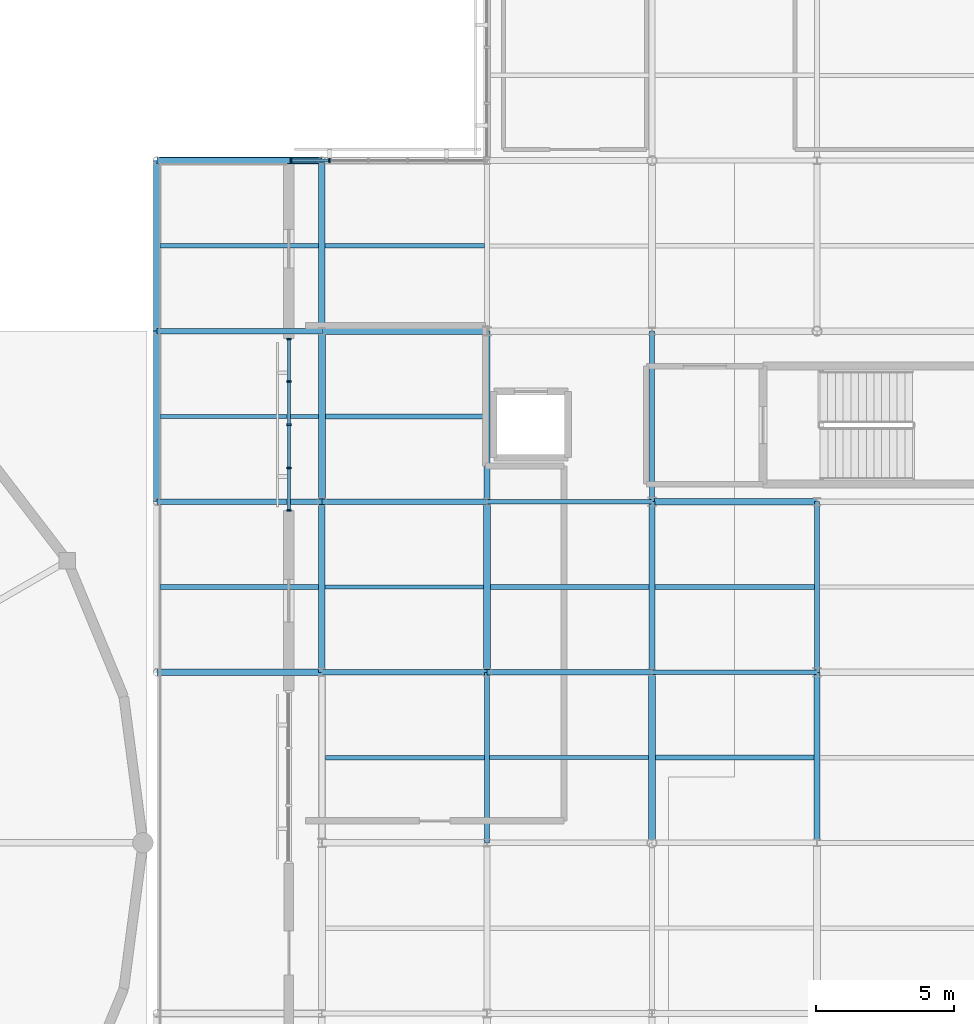
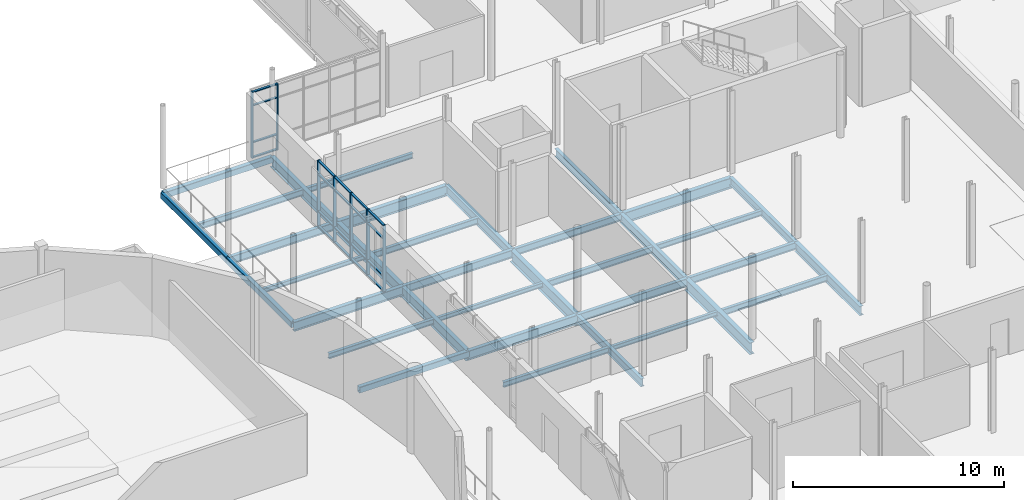
# One storey, part 34 of 84: 35 beams, 27 members, 2 elements without a shape of their own.
"""IFC4 building model written with IfcOpenShell, lengths in metres."""

from ifc_helpers import new_model, si_unit, direction, frame, origin, origin_2d, place, context, subcontext, project, spatial, rectangle, hollow_rectangle, i_section, extrude, material, layer, layer_set, material_profile, profile_set, type_object, element, aggregate, save


model = new_model("IFC4")

# Units and contexts
model_context = context("Model", 3, precision=1e-05, world=origin(), true_north=direction((0.0, 1.0)))
body_context = subcontext(model_context, "Body", "Model", "MODEL_VIEW")
ifc_project = project(units=[si_unit("LENGTHUNIT", "METRE"), si_unit("AREAUNIT", "SQUARE_METRE"), si_unit("VOLUMEUNIT", "CUBIC_METRE"), si_unit("PLANEANGLEUNIT", "RADIAN"), si_unit("MASSUNIT", "GRAM", prefix="KILO")], contexts=[model_context])

# Site, building, storey
site_placement = place(None, origin())
site = spatial("IfcSite", under=ifc_project, at=site_placement, CompositionType="ELEMENT")
building_placement = place(site_placement, origin())
building = spatial("IfcBuilding", under=site, at=building_placement, Name="Mirzam Square Science Centre", CompositionType="ELEMENT")
storey_placement = place(building_placement, frame((0.0, 0.0, 10.800048828125)))
storey = spatial("IfcBuildingStorey", under=building, at=storey_placement, Name="L02", CompositionType="ELEMENT", Elevation=10.800048828125)

# Beams
ifc_material_1 = material(Name="Steel S355", Category="steel")
ifc_material_profile_1 = material_profile(ifc_material_1, i_section(OverallWidth=0.1787109375, OverallDepth=0.409423828125, WebThickness=0.0087890625, FlangeThickness=0.014404296875, FilletRadius=0.01025390625, at=origin_2d()), Name="406x178x67UB")
ifc_profile_set_1 = profile_set([ifc_material_profile_1], Name="Steel S355")
beam_type_1 = type_object("IfcBeamType", Name="BM-UB406", PredefinedType="BEAM", material=ifc_profile_set_1)
for number, where, z_axis, x_axis, name in (
    (1, (120.0, 68.199951171875, -0.454833984375), (1.0, 0.0, 0.0), (0.0, 1.0, 0.0), "L02 girder X21-12"),
    (2, (114.0, 74.39990234375, -0.454833984375), (1.0, 0.0, 0.0), (0.0, 1.0, 0.0), "L02 girder X20-13"),
):
    element("IfcBeam", number, at=place(storey_placement, frame(where, z_axis=z_axis, x_axis=x_axis)), inside=storey, type_object=beam_type_1, Name=name, PredefinedType="BEAM", context=body_context, shape_type="SweptSolid", body=[
        extrude(i_section(OverallWidth=0.1787109375, OverallDepth=0.409423828125, WebThickness=0.0087890625, FlangeThickness=0.014404296875, FilletRadius=0.01025390625, at=origin_2d()), origin(), (0.0, 0.0, 1.0), 6.0),
    ])
ifc_material_profile_2 = material_profile(ifc_material_1, i_section(OverallWidth=0.19140625, OverallDepth=0.4599609375, WebThickness=0.010009765625, FlangeThickness=0.01611328125, FilletRadius=0.01025390625, at=origin_2d()), Name="457x191x82UB")
ifc_profile_set_2 = profile_set([ifc_material_profile_2], Name="Steel S355")
beam_type_2 = type_object("IfcBeamType", Name="BM-UB457", PredefinedType="BEAM", material=ifc_profile_set_2)
for number, where, z_axis, x_axis, name in (
    (3, (114.0, 68.199951171875, -0.47998046875), (1.0, 0.0, 0.0), (0.0, 1.0, 0.0), "L02 girder X20-12"),
    (4, (108.0, 74.39990234375, -0.47998046875), (1.0, 0.0, 0.0), (0.0, 1.0, 0.0), "L02 girder X19-13"),
    (5, (102.0, 80.60009765625, -0.47998046875), (1.0, 0.0, 0.0), (0.0, 1.0, 0.0), "L02 girder X18-14"),
):
    element("IfcBeam", number, at=place(storey_placement, frame(where, z_axis=z_axis, x_axis=x_axis)), inside=storey, type_object=beam_type_2, Name=name, PredefinedType="BEAM", context=body_context, shape_type="SweptSolid", body=[
        extrude(i_section(OverallWidth=0.19140625, OverallDepth=0.4599609375, WebThickness=0.010009765625, FlangeThickness=0.01611328125, FilletRadius=0.01025390625, at=origin_2d()), origin(), (0.0, 0.0, 1.0), 6.0),
    ])
beam_1_placement = place(storey_placement, frame((114.0, 62.0, -0.47998046875), z_axis=(0.0, 1.0, 0.0), x_axis=(-1.0, 0.0, 0.0)))
element("IfcBeam", 6, at=beam_1_placement, inside=storey, type_object=beam_type_2, Name="L02 girder Y20-11", PredefinedType="BEAM", context=body_context, shape_type="SweptSolid", body=[
    extrude(i_section(OverallWidth=0.19140625, OverallDepth=0.4599609375, WebThickness=0.010009765625, FlangeThickness=0.01611328125, FilletRadius=0.01025390625, at=origin_2d()), origin(), (0.0, 0.0, 1.0), 6.199951171875),
])
beam_2_placement = place(storey_placement, frame((120.0, 74.39990234375, -0.47998046875), z_axis=(0.0, 1.0, 0.0), x_axis=(-1.0, 0.0, 0.0)))
element("IfcBeam", 7, at=beam_2_placement, inside=storey, type_object=beam_type_2, Name="L02 girder Y21-13", PredefinedType="BEAM", context=body_context, shape_type="SweptSolid", body=[
    extrude(i_section(OverallWidth=0.19140625, OverallDepth=0.4599609375, WebThickness=0.010009765625, FlangeThickness=0.01611328125, FilletRadius=0.01025390625, at=origin_2d()), origin(), (0.0, 0.0, 1.0), 6.2001953125),
])
beam_3_placement = place(storey_placement, frame((126.0, 68.199951171875, -0.47998046875), z_axis=(0.0, 1.0, 0.0), x_axis=(-1.0, 0.0, 0.0)))
element("IfcBeam", 8, at=beam_3_placement, inside=storey, type_object=beam_type_2, Name="L02 girder Y22-12", PredefinedType="BEAM", context=body_context, shape_type="SweptSolid", body=[
    extrude(i_section(OverallWidth=0.19140625, OverallDepth=0.4599609375, WebThickness=0.010009765625, FlangeThickness=0.01611328125, FilletRadius=0.01025390625, at=origin_2d()), origin(), (0.0, 0.0, 1.0), 6.199951171875),
])
ifc_material_profile_3 = material_profile(ifc_material_1, i_section(OverallWidth=0.2099609375, OverallDepth=0.53662109375, WebThickness=0.0107421875, FlangeThickness=0.017333984375, FilletRadius=0.0126953125, at=origin_2d()), Name="533x210x101UB")
ifc_profile_set_3 = profile_set([ifc_material_profile_3], Name="Steel S355")
beam_type_3 = type_object("IfcBeamType", Name="BM-UB533", PredefinedType="BEAM", material=ifc_profile_set_3)
for number, where, z_axis, x_axis, name in (
    (9, (108.0, 68.199951171875, -0.518310546875), (1.0, 0.0, 0.0), (0.0, 1.0, 0.0), "L02 girder X19-12"),
    (10, (102.0, 74.39990234375, -0.518310546875), (1.0, 0.0, 0.0), (0.0, 1.0, 0.0), "L02 girder X18-13"),
):
    element("IfcBeam", number, at=place(storey_placement, frame(where, z_axis=z_axis, x_axis=x_axis)), inside=storey, type_object=beam_type_3, Name=name, PredefinedType="BEAM", context=body_context, shape_type="SweptSolid", body=[
        extrude(i_section(OverallWidth=0.2099609375, OverallDepth=0.53662109375, WebThickness=0.0107421875, FlangeThickness=0.017333984375, FilletRadius=0.0126953125, at=origin_2d()), origin(), (0.0, 0.0, 1.0), 6.0),
    ])
beam_4_placement = place(storey_placement, frame((114.0, 74.39990234375, -0.518310546875), z_axis=(0.0, 1.0, 0.0), x_axis=(-1.0, 0.0, 0.0)))
element("IfcBeam", 11, at=beam_4_placement, inside=storey, type_object=beam_type_3, Name="L02 girder Y20-13", PredefinedType="BEAM", context=body_context, shape_type="SweptSolid", body=[
    extrude(i_section(OverallWidth=0.2099609375, OverallDepth=0.53662109375, WebThickness=0.0107421875, FlangeThickness=0.017333984375, FilletRadius=0.0126953125, at=origin_2d()), origin(), (0.0, 0.0, 1.0), 6.2001953125),
])
for number, where, z_axis, x_axis, name in (
    (12, (120.0, 68.199951171875, -0.518310546875), (0.0, 1.0, 0.0), (-1.0, 0.0, 0.0), "L02 girder Y21-12"),
    (13, (126.0, 62.0, -0.518310546875), (0.0, 1.0, 0.0), (-1.0, 0.0, 0.0), "L02 girder Y22-11"),
):
    element("IfcBeam", number, at=place(storey_placement, frame(where, z_axis=z_axis, x_axis=x_axis)), inside=storey, type_object=beam_type_3, Name=name, PredefinedType="BEAM", context=body_context, shape_type="SweptSolid", body=[
        extrude(i_section(OverallWidth=0.2099609375, OverallDepth=0.53662109375, WebThickness=0.0107421875, FlangeThickness=0.017333984375, FilletRadius=0.0126953125, at=origin_2d()), origin(), (0.0, 0.0, 1.0), 6.199951171875),
    ])
ifc_material_profile_4 = material_profile(ifc_material_1, i_section(OverallWidth=0.22900390625, OverallDepth=0.6123046875, WebThickness=0.011962890625, FlangeThickness=0.01953125, FilletRadius=0.0126953125, at=origin_2d()), Name="610x229x125UB")
ifc_profile_set_4 = profile_set([ifc_material_profile_4], Name="Steel S355")
beam_type_4 = type_object("IfcBeamType", Name="BM-UB610", PredefinedType="BEAM", material=ifc_profile_set_4)
for number, where, z_axis, x_axis, name in (
    (14, (120.0, 74.39990234375, -0.55615234375), (1.0, 0.0, 0.0), (0.0, 1.0, 0.0), "L02 girder X21-13"),
    (15, (108.0, 80.60009765625, -0.55615234375), (1.0, 0.0, 0.0), (0.0, 1.0, 0.0), "L02 girder X19-14"),
):
    element("IfcBeam", number, at=place(storey_placement, frame(where, z_axis=z_axis, x_axis=x_axis)), inside=storey, type_object=beam_type_4, Name=name, PredefinedType="BEAM", context=body_context, shape_type="SweptSolid", body=[
        extrude(i_section(OverallWidth=0.22900390625, OverallDepth=0.6123046875, WebThickness=0.011962890625, FlangeThickness=0.01953125, FilletRadius=0.0126953125, at=origin_2d()), origin(), (0.0, 0.0, 1.0), 6.0),
    ])
for number, where, z_axis, x_axis, name in (
    (16, (108.0, 68.199951171875, -0.55615234375), (0.0, 1.0, 0.0), (-1.0, 0.0, 0.0), "L02 girder Y19-12"),
    (17, (108.0, 80.60009765625, -0.55615234375), (0.0, 1.0, 0.0), (-1.0, 0.0, 0.0), "L02 girder Y19-14"),
):
    element("IfcBeam", number, at=place(storey_placement, frame(where, z_axis=z_axis, x_axis=x_axis)), inside=storey, type_object=beam_type_4, Name=name, PredefinedType="BEAM", context=body_context, shape_type="SweptSolid", body=[
        extrude(i_section(OverallWidth=0.22900390625, OverallDepth=0.6123046875, WebThickness=0.011962890625, FlangeThickness=0.01953125, FilletRadius=0.0126953125, at=origin_2d()), origin(), (0.0, 0.0, 1.0), 6.199951171875),
    ])
ifc_material_profile_5 = material_profile(ifc_material_1, i_section(OverallWidth=0.25439453125, OverallDepth=0.6875, WebThickness=0.01318359375, FlangeThickness=0.02099609375, FilletRadius=0.01513671875, at=origin_2d()), Name="686x254x152UB")
ifc_profile_set_5 = profile_set([ifc_material_profile_5], Name="Steel S355")
beam_type_5 = type_object("IfcBeamType", Name="BM-UB686", PredefinedType="BEAM", material=ifc_profile_set_5)
beam_5_placement = place(storey_placement, frame((108.0, 74.39990234375, -0.59375), z_axis=(0.0, 1.0, 0.0), x_axis=(-1.0, 0.0, 0.0)))
element("IfcBeam", 18, at=beam_5_placement, inside=storey, type_object=beam_type_5, Name="L02 girder Y19-13", PredefinedType="BEAM", context=body_context, shape_type="SweptSolid", body=[
    extrude(i_section(OverallWidth=0.25439453125, OverallDepth=0.6875, WebThickness=0.01318359375, FlangeThickness=0.02099609375, FilletRadius=0.01513671875, at=origin_2d()), origin(), (0.0, 0.0, 1.0), 6.2001953125),
])
for number, where, z_axis, x_axis, name in (
    (19, (114.0, 68.199951171875, -0.59375), (0.0, 1.0, 0.0), (-1.0, 0.0, 0.0), "L02 girder Y20-12"),
    (20, (120.0, 62.0, -0.59375), (0.0, 1.0, 0.0), (-1.0, 0.0, 0.0), "L02 girder Y21-11"),
):
    element("IfcBeam", number, at=place(storey_placement, frame(where, z_axis=z_axis, x_axis=x_axis)), inside=storey, type_object=beam_type_5, Name=name, PredefinedType="BEAM", context=body_context, shape_type="SweptSolid", body=[
        extrude(i_section(OverallWidth=0.25439453125, OverallDepth=0.6875, WebThickness=0.01318359375, FlangeThickness=0.02099609375, FilletRadius=0.01513671875, at=origin_2d()), origin(), (0.0, 0.0, 1.0), 6.199951171875),
    ])

# Curtain wall, members
ifc_material_2 = material(Name="Anodised Aluminium and Low-E Solar Glass", Category="aluminium")
ifc_layer = layer(ifc_material_2, 0.159912109375)
ifc_layer_set = layer_set([ifc_layer], Name="CW-COURT-B")
curtain_wall_type = type_object("IfcCurtainWallType", Name="CW-COURT-B", PredefinedType="USERDEFINED", material=ifc_layer_set)
curtain_wall_1_placement = place(storey_placement, origin())
curtain_wall_1 = element("IfcCurtainWall", 21, at=curtain_wall_1_placement, inside=storey, type_object=curtain_wall_type, Name="L02 unitised curtain wall 109", ObjectType="UNITISED CURTAIN WALL", PredefinedType="USERDEFINED")
ifc_material_3 = material(Name="Anodised Architectural Aluminium 6063-T6", Category="aluminium")
ifc_material_profile_6 = material_profile(ifc_material_3, rectangle(XDim=0.06005859375, YDim=0.159912109375, at=origin_2d()), Name="ALU-MULL-160x60x4")
ifc_profile_set_6 = profile_set([ifc_material_profile_6], Name="Anodised Architectural Aluminium 6063-T6")
member_type_1 = type_object("IfcMemberType", Name="CWM-160", PredefinedType="MULLION", material=ifc_profile_set_6)
member_1_placement = place(storey_placement, frame((108.27294921875, 86.800048828125, 0.0), z_axis=(0.0, 0.0, 1.0), x_axis=(-1.0, 0.0, 0.0)))
member_1 = element("IfcMember", 22, at=member_1_placement, type_object=member_type_1, Name="CW-04 mullion 5", PredefinedType="MULLION", context=body_context, shape_type="SweptSolid", body=[
    extrude(rectangle(XDim=0.06005859375, YDim=0.159912109375, at=origin_2d()), origin(), (0.0, 0.0, 1.0), 3.83984375),
])
member_2_placement = place(storey_placement, frame((106.885009765625, 86.800048828125, 0.0), z_axis=(0.0, 0.0, 1.0), x_axis=(-1.0, 0.0, 0.0)))
member_2 = element("IfcMember", 23, at=member_2_placement, type_object=member_type_1, Name="CW-04 mullion 6", PredefinedType="MULLION", context=body_context, shape_type="SweptSolid", body=[
    extrude(rectangle(XDim=0.06005859375, YDim=0.159912109375, at=origin_2d()), origin(), (0.0, 0.0, 1.0), 3.83984375),
])

curtain_wall_2_placement = place(storey_placement, origin())
curtain_wall_2 = element("IfcCurtainWall", 24, at=curtain_wall_2_placement, inside=storey, type_object=curtain_wall_type, Name="L02 unitised curtain wall 110", ObjectType="UNITISED CURTAIN WALL", PredefinedType="USERDEFINED")
member_3_placement = place(storey_placement, frame((106.800048828125, 80.31494140625, 0.0), z_axis=(0.0, 0.0, 1.0), x_axis=(0.0, -1.0, 0.0)))
member_3 = element("IfcMember", 25, at=member_3_placement, type_object=member_type_1, Name="CW-04 mullion 1", PredefinedType="MULLION", context=body_context, shape_type="SweptSolid", body=[
    extrude(rectangle(XDim=0.06005859375, YDim=0.159912109375, at=origin_2d()), origin(), (0.0, 0.0, 1.0), 3.83984375),
])
member_4_placement = place(storey_placement, frame((106.800048828125, 78.7724609375, 0.0), z_axis=(0.0, 0.0, 1.0), x_axis=(0.0, -1.0, 0.0)))
member_4 = element("IfcMember", 26, at=member_4_placement, type_object=member_type_1, Name="CW-04 mullion 2", PredefinedType="MULLION", context=body_context, shape_type="SweptSolid", body=[
    extrude(rectangle(XDim=0.06005859375, YDim=0.159912109375, at=origin_2d()), origin(), (0.0, 0.0, 1.0), 3.83984375),
])
member_5_placement = place(storey_placement, frame((106.800048828125, 77.199951171875, 0.0), z_axis=(0.0, 0.0, 1.0), x_axis=(0.0, -1.0, 0.0)))
member_5 = element("IfcMember", 27, at=member_5_placement, type_object=member_type_1, Name="CW-04 mullion 3", PredefinedType="MULLION", context=body_context, shape_type="SweptSolid", body=[
    extrude(rectangle(XDim=0.06005859375, YDim=0.159912109375, at=origin_2d()), origin(), (0.0, 0.0, 1.0), 3.83984375),
])
member_6_placement = place(storey_placement, frame((106.800048828125, 75.62744140625, 0.0), z_axis=(0.0, 0.0, 1.0), x_axis=(0.0, -1.0, 0.0)))
member_6 = element("IfcMember", 28, at=member_6_placement, type_object=member_type_1, Name="CW-04 mullion 4", PredefinedType="MULLION", context=body_context, shape_type="SweptSolid", body=[
    extrude(rectangle(XDim=0.06005859375, YDim=0.159912109375, at=origin_2d()), origin(), (0.0, 0.0, 1.0), 3.83984375),
])
member_7_placement = place(storey_placement, frame((106.800048828125, 74.0849609375, 0.0), z_axis=(0.0, 0.0, 1.0), x_axis=(0.0, -1.0, 0.0)))
member_7 = element("IfcMember", 29, at=member_7_placement, type_object=member_type_1, Name="CW-04 mullion 5", PredefinedType="MULLION", context=body_context, shape_type="SweptSolid", body=[
    extrude(rectangle(XDim=0.06005859375, YDim=0.159912109375, at=origin_2d()), origin(), (0.0, 0.0, 1.0), 3.83984375),
])

# Member
ifc_material_profile_7 = material_profile(ifc_material_3, rectangle(XDim=0.1201171875, YDim=0.06005859375, at=origin_2d()), Name="ALU-TRAN-120x60x4")
ifc_profile_set_7 = profile_set([ifc_material_profile_7], Name="Anodised Architectural Aluminium 6063-T6")
member_type_2 = type_object("IfcMemberType", Name="CWT-120", PredefinedType="USERDEFINED", material=ifc_profile_set_7)
member_8_placement = place(storey_placement, frame((108.242919921875, 86.800048828125, 0.030029296875), z_axis=(-1.0, 0.0, 0.0), x_axis=(0.0, -1.0, 0.0)))
member_8 = element("IfcMember", 30, at=member_8_placement, type_object=member_type_2, Name="CW-04 transom 5.1", ObjectType="TRANSOM", PredefinedType="USERDEFINED", context=body_context, shape_type="SweptSolid", body=[
    extrude(rectangle(XDim=0.1201171875, YDim=0.06005859375, at=origin_2d()), origin(), (0.0, 0.0, 1.0), 1.327880859375),
])

member_9_placement = place(storey_placement, frame((108.242919921875, 86.800048828125, 0.89990234375), z_axis=(-1.0, 0.0, 0.0), x_axis=(0.0, -1.0, 0.0)))
member_9 = element("IfcMember", 31, at=member_9_placement, type_object=member_type_2, Name="CW-04 transom 5.2", ObjectType="TRANSOM", PredefinedType="USERDEFINED", context=body_context, shape_type="SweptSolid", body=[
    extrude(rectangle(XDim=0.1201171875, YDim=0.06005859375, at=origin_2d()), origin(), (0.0, 0.0, 1.0), 1.327880859375),
])

member_10_placement = place(storey_placement, frame((108.242919921875, 86.800048828125, 3.0400390625), z_axis=(-1.0, 0.0, 0.0), x_axis=(0.0, -1.0, 0.0)))
member_10 = element("IfcMember", 32, at=member_10_placement, type_object=member_type_2, Name="CW-04 transom 5.3", ObjectType="TRANSOM", PredefinedType="USERDEFINED", context=body_context, shape_type="SweptSolid", body=[
    extrude(rectangle(XDim=0.1201171875, YDim=0.06005859375, at=origin_2d()), origin(), (0.0, 0.0, 1.0), 1.327880859375),
])

member_11_placement = place(storey_placement, frame((108.242919921875, 86.800048828125, 3.81005859375), z_axis=(-1.0, 0.0, 0.0), x_axis=(0.0, -1.0, 0.0)))
member_11 = element("IfcMember", 33, at=member_11_placement, type_object=member_type_2, Name="CW-04 transom 5.4", ObjectType="TRANSOM", PredefinedType="USERDEFINED", context=body_context, shape_type="SweptSolid", body=[
    extrude(rectangle(XDim=0.1201171875, YDim=0.06005859375, at=origin_2d()), origin(), (0.0, 0.0, 1.0), 1.327880859375),
])

aggregate(curtain_wall_1, [member_1, member_2, member_8, member_9, member_10, member_11])

member_12_placement = place(storey_placement, frame((106.800048828125, 80.284912109375, 0.030029296875), z_axis=(0.0, -1.0, 0.0), x_axis=(1.0, 0.0, 0.0)))
member_12 = element("IfcMember", 34, at=member_12_placement, type_object=member_type_2, Name="CW-04 transom 1.1", ObjectType="TRANSOM", PredefinedType="USERDEFINED", context=body_context, shape_type="SweptSolid", body=[
    extrude(rectangle(XDim=0.1201171875, YDim=0.06005859375, at=origin_2d()), origin(), (0.0, 0.0, 1.0), 1.482421875),
])

member_13_placement = place(storey_placement, frame((106.800048828125, 80.284912109375, 0.89990234375), z_axis=(0.0, -1.0, 0.0), x_axis=(1.0, 0.0, 0.0)))
member_13 = element("IfcMember", 35, at=member_13_placement, type_object=member_type_2, Name="CW-04 transom 1.2", ObjectType="TRANSOM", PredefinedType="USERDEFINED", context=body_context, shape_type="SweptSolid", body=[
    extrude(rectangle(XDim=0.1201171875, YDim=0.06005859375, at=origin_2d()), origin(), (0.0, 0.0, 1.0), 1.482421875),
])

member_14_placement = place(storey_placement, frame((106.800048828125, 80.284912109375, 3.0400390625), z_axis=(0.0, -1.0, 0.0), x_axis=(1.0, 0.0, 0.0)))
member_14 = element("IfcMember", 36, at=member_14_placement, type_object=member_type_2, Name="CW-04 transom 1.3", ObjectType="TRANSOM", PredefinedType="USERDEFINED", context=body_context, shape_type="SweptSolid", body=[
    extrude(rectangle(XDim=0.1201171875, YDim=0.06005859375, at=origin_2d()), origin(), (0.0, 0.0, 1.0), 1.482421875),
])

member_15_placement = place(storey_placement, frame((106.800048828125, 80.284912109375, 3.81005859375), z_axis=(0.0, -1.0, 0.0), x_axis=(1.0, 0.0, 0.0)))
member_15 = element("IfcMember", 37, at=member_15_placement, type_object=member_type_2, Name="CW-04 transom 1.4", ObjectType="TRANSOM", PredefinedType="USERDEFINED", context=body_context, shape_type="SweptSolid", body=[
    extrude(rectangle(XDim=0.1201171875, YDim=0.06005859375, at=origin_2d()), origin(), (0.0, 0.0, 1.0), 1.482421875),
])

member_16_placement = place(storey_placement, frame((106.800048828125, 78.742431640625, 0.030029296875), z_axis=(0.0, -1.0, 0.0), x_axis=(1.0, 0.0, 0.0)))
member_16 = element("IfcMember", 38, at=member_16_placement, type_object=member_type_2, Name="CW-04 transom 2.1", ObjectType="TRANSOM", PredefinedType="USERDEFINED", context=body_context, shape_type="SweptSolid", body=[
    extrude(rectangle(XDim=0.1201171875, YDim=0.06005859375, at=origin_2d()), origin(), (0.0, 0.0, 1.0), 1.512451171875),
])

member_17_placement = place(storey_placement, frame((106.800048828125, 78.742431640625, 0.89990234375), z_axis=(0.0, -1.0, 0.0), x_axis=(1.0, 0.0, 0.0)))
member_17 = element("IfcMember", 39, at=member_17_placement, type_object=member_type_2, Name="CW-04 transom 2.2", ObjectType="TRANSOM", PredefinedType="USERDEFINED", context=body_context, shape_type="SweptSolid", body=[
    extrude(rectangle(XDim=0.1201171875, YDim=0.06005859375, at=origin_2d()), origin(), (0.0, 0.0, 1.0), 1.512451171875),
])

member_18_placement = place(storey_placement, frame((106.800048828125, 78.742431640625, 3.0400390625), z_axis=(0.0, -1.0, 0.0), x_axis=(1.0, 0.0, 0.0)))
member_18 = element("IfcMember", 40, at=member_18_placement, type_object=member_type_2, Name="CW-04 transom 2.3", ObjectType="TRANSOM", PredefinedType="USERDEFINED", context=body_context, shape_type="SweptSolid", body=[
    extrude(rectangle(XDim=0.1201171875, YDim=0.06005859375, at=origin_2d()), origin(), (0.0, 0.0, 1.0), 1.512451171875),
])

member_19_placement = place(storey_placement, frame((106.800048828125, 78.742431640625, 3.81005859375), z_axis=(0.0, -1.0, 0.0), x_axis=(1.0, 0.0, 0.0)))
member_19 = element("IfcMember", 41, at=member_19_placement, type_object=member_type_2, Name="CW-04 transom 2.4", ObjectType="TRANSOM", PredefinedType="USERDEFINED", context=body_context, shape_type="SweptSolid", body=[
    extrude(rectangle(XDim=0.1201171875, YDim=0.06005859375, at=origin_2d()), origin(), (0.0, 0.0, 1.0), 1.512451171875),
])

member_20_placement = place(storey_placement, frame((106.800048828125, 77.169921875, 0.030029296875), z_axis=(0.0, -1.0, 0.0), x_axis=(1.0, 0.0, 0.0)))
member_20 = element("IfcMember", 42, at=member_20_placement, type_object=member_type_2, Name="CW-04 transom 3.1", ObjectType="TRANSOM", PredefinedType="USERDEFINED", context=body_context, shape_type="SweptSolid", body=[
    extrude(rectangle(XDim=0.1201171875, YDim=0.06005859375, at=origin_2d()), origin(), (0.0, 0.0, 1.0), 1.512451171875),
])

member_21_placement = place(storey_placement, frame((106.800048828125, 77.169921875, 0.89990234375), z_axis=(0.0, -1.0, 0.0), x_axis=(1.0, 0.0, 0.0)))
member_21 = element("IfcMember", 43, at=member_21_placement, type_object=member_type_2, Name="CW-04 transom 3.2", ObjectType="TRANSOM", PredefinedType="USERDEFINED", context=body_context, shape_type="SweptSolid", body=[
    extrude(rectangle(XDim=0.1201171875, YDim=0.06005859375, at=origin_2d()), origin(), (0.0, 0.0, 1.0), 1.512451171875),
])

member_22_placement = place(storey_placement, frame((106.800048828125, 77.169921875, 3.0400390625), z_axis=(0.0, -1.0, 0.0), x_axis=(1.0, 0.0, 0.0)))
member_22 = element("IfcMember", 44, at=member_22_placement, type_object=member_type_2, Name="CW-04 transom 3.3", ObjectType="TRANSOM", PredefinedType="USERDEFINED", context=body_context, shape_type="SweptSolid", body=[
    extrude(rectangle(XDim=0.1201171875, YDim=0.06005859375, at=origin_2d()), origin(), (0.0, 0.0, 1.0), 1.512451171875),
])

member_23_placement = place(storey_placement, frame((106.800048828125, 77.169921875, 3.81005859375), z_axis=(0.0, -1.0, 0.0), x_axis=(1.0, 0.0, 0.0)))
member_23 = element("IfcMember", 45, at=member_23_placement, type_object=member_type_2, Name="CW-04 transom 3.4", ObjectType="TRANSOM", PredefinedType="USERDEFINED", context=body_context, shape_type="SweptSolid", body=[
    extrude(rectangle(XDim=0.1201171875, YDim=0.06005859375, at=origin_2d()), origin(), (0.0, 0.0, 1.0), 1.512451171875),
])

member_24_placement = place(storey_placement, frame((106.800048828125, 75.597412109375, 0.030029296875), z_axis=(0.0, -1.0, 0.0), x_axis=(1.0, 0.0, 0.0)))
member_24 = element("IfcMember", 46, at=member_24_placement, type_object=member_type_2, Name="CW-04 transom 4.1", ObjectType="TRANSOM", PredefinedType="USERDEFINED", context=body_context, shape_type="SweptSolid", body=[
    extrude(rectangle(XDim=0.1201171875, YDim=0.06005859375, at=origin_2d()), origin(), (0.0, 0.0, 1.0), 1.482421875),
])

member_25_placement = place(storey_placement, frame((106.800048828125, 75.597412109375, 0.89990234375), z_axis=(0.0, -1.0, 0.0), x_axis=(1.0, 0.0, 0.0)))
member_25 = element("IfcMember", 47, at=member_25_placement, type_object=member_type_2, Name="CW-04 transom 4.2", ObjectType="TRANSOM", PredefinedType="USERDEFINED", context=body_context, shape_type="SweptSolid", body=[
    extrude(rectangle(XDim=0.1201171875, YDim=0.06005859375, at=origin_2d()), origin(), (0.0, 0.0, 1.0), 1.482421875),
])

member_26_placement = place(storey_placement, frame((106.800048828125, 75.597412109375, 3.0400390625), z_axis=(0.0, -1.0, 0.0), x_axis=(1.0, 0.0, 0.0)))
member_26 = element("IfcMember", 48, at=member_26_placement, type_object=member_type_2, Name="CW-04 transom 4.3", ObjectType="TRANSOM", PredefinedType="USERDEFINED", context=body_context, shape_type="SweptSolid", body=[
    extrude(rectangle(XDim=0.1201171875, YDim=0.06005859375, at=origin_2d()), origin(), (0.0, 0.0, 1.0), 1.482421875),
])

member_27_placement = place(storey_placement, frame((106.800048828125, 75.597412109375, 3.81005859375), z_axis=(0.0, -1.0, 0.0), x_axis=(1.0, 0.0, 0.0)))
member_27 = element("IfcMember", 49, at=member_27_placement, type_object=member_type_2, Name="CW-04 transom 4.4", ObjectType="TRANSOM", PredefinedType="USERDEFINED", context=body_context, shape_type="SweptSolid", body=[
    extrude(rectangle(XDim=0.1201171875, YDim=0.06005859375, at=origin_2d()), origin(), (0.0, 0.0, 1.0), 1.482421875),
])

aggregate(curtain_wall_2, [member_3, member_4, member_5, member_6, member_7, member_12, member_13, member_14, member_15, member_16, member_17, member_18, member_19, member_20, member_21, member_22, member_23, member_24, member_25, member_26, member_27])

# Beams
ifc_material_profile_8 = material_profile(ifc_material_1, i_section(OverallWidth=0.146484375, OverallDepth=0.256103515625, WebThickness=0.00634765625, FlangeThickness=0.010986328125, FilletRadius=0.007568359375, at=origin_2d()), Name="254x146x37UB")
ifc_profile_set_8 = profile_set([ifc_material_profile_8], Name="Steel S355")
beam_type_6 = type_object("IfcBeamType", Name="JS-UB254", PredefinedType="JOIST", material=ifc_profile_set_8)
beam_6_placement = place(storey_placement, frame((102.125, 77.5, -0.3779296875), z_axis=(1.0, 0.0, 0.0), x_axis=(0.0, 1.0, 0.0)))
element("IfcBeam", 50, at=beam_6_placement, inside=storey, type_object=beam_type_6, Name="L02 composite joist 18-13", PredefinedType="JOIST", context=body_context, shape_type="SweptSolid", body=[
    extrude(i_section(OverallWidth=0.146484375, OverallDepth=0.256103515625, WebThickness=0.00634765625, FlangeThickness=0.010986328125, FilletRadius=0.007568359375, at=origin_2d()), origin(), (0.0, 0.0, 1.0), 5.747802734375),
])
beam_7_placement = place(storey_placement, frame((108.114501953125, 71.300048828125, -0.3779296875), z_axis=(1.0, 0.0, 0.0), x_axis=(0.0, 1.0, 0.0)))
element("IfcBeam", 51, at=beam_7_placement, inside=storey, type_object=beam_type_6, Name="L02 composite joist 19-12", PredefinedType="JOIST", context=body_context, shape_type="SweptSolid", body=[
    extrude(i_section(OverallWidth=0.146484375, OverallDepth=0.256103515625, WebThickness=0.00634765625, FlangeThickness=0.010986328125, FilletRadius=0.007568359375, at=origin_2d()), origin(), (0.0, 0.0, 1.0), 5.75830078125),
])
beam_8_placement = place(storey_placement, frame((114.095703125, 65.10009765625, -0.3779296875), z_axis=(1.0, 0.0, 0.0), x_axis=(0.0, 1.0, 0.0)))
element("IfcBeam", 52, at=beam_8_placement, inside=storey, type_object=beam_type_6, Name="L02 composite joist 20-11", PredefinedType="JOIST", context=body_context, shape_type="SweptSolid", body=[
    extrude(i_section(OverallWidth=0.146484375, OverallDepth=0.256103515625, WebThickness=0.00634765625, FlangeThickness=0.010986328125, FilletRadius=0.007568359375, at=origin_2d()), origin(), (0.0, 0.0, 1.0), 5.777099609375),
])
ifc_material_profile_9 = material_profile(ifc_material_1, i_section(OverallWidth=0.165771484375, OverallDepth=0.306640625, WebThickness=0.006591796875, FlangeThickness=0.01171875, FilletRadius=0.0087890625, at=origin_2d()), Name="305x165x46UB")
ifc_profile_set_9 = profile_set([ifc_material_profile_9], Name="Steel S355")
beam_type_7 = type_object("IfcBeamType", Name="JS-UB305", PredefinedType="JOIST", material=ifc_profile_set_9)
beam_9_placement = place(storey_placement, frame((102.125, 71.300048828125, -0.4033203125), z_axis=(1.0, 0.0, 0.0), x_axis=(0.0, 1.0, 0.0)))
element("IfcBeam", 53, at=beam_9_placement, inside=storey, type_object=beam_type_7, Name="L02 composite joist 18-12", PredefinedType="JOIST", context=body_context, shape_type="SweptSolid", body=[
    extrude(i_section(OverallWidth=0.165771484375, OverallDepth=0.306640625, WebThickness=0.006591796875, FlangeThickness=0.01171875, FilletRadius=0.0087890625, at=origin_2d()), origin(), (0.0, 0.0, 1.0), 5.760498046875),
])
beam_10_placement = place(storey_placement, frame((108.125, 65.10009765625, -0.4033203125), z_axis=(1.0, 0.0, 0.0), x_axis=(0.0, 1.0, 0.0)))
element("IfcBeam", 54, at=beam_10_placement, inside=storey, type_object=beam_type_7, Name="L02 composite joist 19-11", PredefinedType="JOIST", context=body_context, shape_type="SweptSolid", body=[
    extrude(i_section(OverallWidth=0.165771484375, OverallDepth=0.306640625, WebThickness=0.006591796875, FlangeThickness=0.01171875, FilletRadius=0.0087890625, at=origin_2d()), origin(), (0.0, 0.0, 1.0), 5.779296875),
])
beam_11_placement = place(storey_placement, frame((108.114501953125, 83.699951171875, -0.4033203125), z_axis=(1.0, 0.0, 0.0), x_axis=(0.0, 1.0, 0.0)))
element("IfcBeam", 55, at=beam_11_placement, inside=storey, type_object=beam_type_7, Name="L02 composite joist 19-14", PredefinedType="JOIST", context=body_context, shape_type="SweptSolid", body=[
    extrude(i_section(OverallWidth=0.165771484375, OverallDepth=0.306640625, WebThickness=0.006591796875, FlangeThickness=0.01171875, FilletRadius=0.0087890625, at=origin_2d()), origin(), (0.0, 0.0, 1.0), 5.789794921875),
])
beam_12_placement = place(storey_placement, frame((120.10498046875, 71.300048828125, -0.4033203125), z_axis=(1.0, 0.0, 0.0), x_axis=(0.0, 1.0, 0.0)))
element("IfcBeam", 56, at=beam_12_placement, inside=storey, type_object=beam_type_7, Name="L02 composite joist 21-12", PredefinedType="JOIST", context=body_context, shape_type="SweptSolid", body=[
    extrude(i_section(OverallWidth=0.165771484375, OverallDepth=0.306640625, WebThickness=0.006591796875, FlangeThickness=0.01171875, FilletRadius=0.0087890625, at=origin_2d()), origin(), (0.0, 0.0, 1.0), 5.79931640625),
])
ifc_material_profile_10 = material_profile(ifc_material_1, i_section(OverallWidth=0.172119140625, OverallDepth=0.35791015625, WebThickness=0.008056640625, FlangeThickness=0.012939453125, FilletRadius=0.01025390625, at=origin_2d()), Name="356x171x57UB")
ifc_profile_set_10 = profile_set([ifc_material_profile_10], Name="Steel S355")
beam_type_8 = type_object("IfcBeamType", Name="JS-UB356", PredefinedType="JOIST", material=ifc_profile_set_10)
beam_13_placement = place(storey_placement, frame((102.125, 83.699951171875, -0.428955078125), z_axis=(1.0, 0.0, 0.0), x_axis=(0.0, 1.0, 0.0)))
element("IfcBeam", 57, at=beam_13_placement, inside=storey, type_object=beam_type_8, Name="L02 composite joist 18-14", PredefinedType="JOIST", context=body_context, shape_type="SweptSolid", body=[
    extrude(i_section(OverallWidth=0.172119140625, OverallDepth=0.35791015625, WebThickness=0.008056640625, FlangeThickness=0.012939453125, FilletRadius=0.01025390625, at=origin_2d()), origin(), (0.0, 0.0, 1.0), 5.760498046875),
])
for number, where, z_axis, x_axis, name in (
    (58, (108.127197265625, 77.5, -0.428955078125), (1.0, 0.0, 0.0), (0.0, 1.0, 0.0), "L02 composite joist 19-13"),
    (59, (114.127197265625, 71.300048828125, -0.428955078125), (1.0, 0.0, 0.0), (0.0, 1.0, 0.0), "L02 composite joist 20-12"),
    (60, (120.127197265625, 65.10009765625, -0.428955078125), (1.0, 0.0, 0.0), (0.0, 1.0, 0.0), "L02 composite joist 21-11"),
):
    element("IfcBeam", number, at=place(storey_placement, frame(where, z_axis=z_axis, x_axis=x_axis)), inside=storey, type_object=beam_type_8, Name=name, PredefinedType="JOIST", context=body_context, shape_type="SweptSolid", body=[
        extrude(i_section(OverallWidth=0.172119140625, OverallDepth=0.35791015625, WebThickness=0.008056640625, FlangeThickness=0.012939453125, FilletRadius=0.01025390625, at=origin_2d()), origin(), (0.0, 0.0, 1.0), 5.767822265625),
    ])
ifc_material_profile_11 = material_profile(ifc_material_1, hollow_rectangle(XDim=0.25, YDim=0.35009765625, WallThickness=0.012451171875, InnerFilletRadius=0.012451171875, OuterFilletRadius=0.02490234375, at=origin_2d()), Name="350x250x12.5RHS")
ifc_profile_set_11 = profile_set([ifc_material_profile_11], Name="Steel S355")
beam_type_9 = type_object("IfcBeamType", Name="SP-RHS350", PredefinedType="SPANDREL", material=ifc_profile_set_11)
for number, where, z_axis, x_axis, name in (
    (61, (102.0, 68.199951171875, -0.425048828125), (1.0, 0.0, 0.0), (0.0, 1.0, 0.0), "L02 girder X18-12"),
    (62, (102.0, 86.800048828125, -0.425048828125), (1.0, 0.0, 0.0), (0.0, 1.0, 0.0), "L02 girder X18-15"),
):
    element("IfcBeam", number, at=place(storey_placement, frame(where, z_axis=z_axis, x_axis=x_axis)), inside=storey, type_object=beam_type_9, Name=name, PredefinedType="SPANDREL", context=body_context, shape_type="SweptSolid", body=[
        extrude(hollow_rectangle(XDim=0.25, YDim=0.35009765625, WallThickness=0.012451171875, InnerFilletRadius=0.012451171875, OuterFilletRadius=0.02490234375, at=origin_2d()), origin(), (0.0, 0.0, 1.0), 6.0),
    ])
beam_14_placement = place(storey_placement, frame((102.0, 74.39990234375, -0.425048828125), z_axis=(0.0, 1.0, 0.0), x_axis=(-1.0, 0.0, 0.0)))
element("IfcBeam", 63, at=beam_14_placement, inside=storey, type_object=beam_type_9, Name="L02 girder Y18-13", PredefinedType="SPANDREL", context=body_context, shape_type="SweptSolid", body=[
    extrude(hollow_rectangle(XDim=0.25, YDim=0.35009765625, WallThickness=0.012451171875, InnerFilletRadius=0.012451171875, OuterFilletRadius=0.02490234375, at=origin_2d()), origin(), (0.0, 0.0, 1.0), 6.2001953125),
])
beam_15_placement = place(storey_placement, frame((102.0, 80.60009765625, -0.425048828125), z_axis=(0.0, 1.0, 0.0), x_axis=(-1.0, 0.0, 0.0)))
element("IfcBeam", 64, at=beam_15_placement, inside=storey, type_object=beam_type_9, Name="L02 girder Y18-14", PredefinedType="SPANDREL", context=body_context, shape_type="SweptSolid", body=[
    extrude(hollow_rectangle(XDim=0.25, YDim=0.35009765625, WallThickness=0.012451171875, InnerFilletRadius=0.012451171875, OuterFilletRadius=0.02490234375, at=origin_2d()), origin(), (0.0, 0.0, 1.0), 6.199951171875),
])

save(model, "model.ifc")
